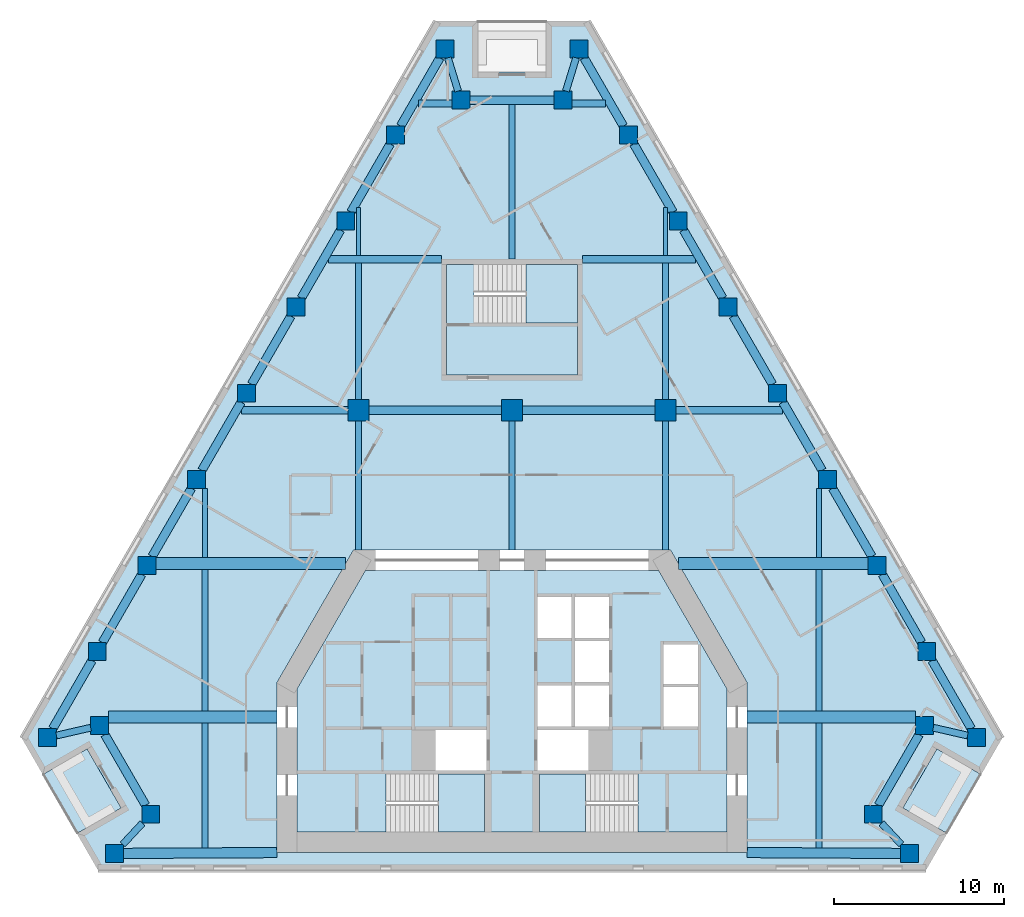
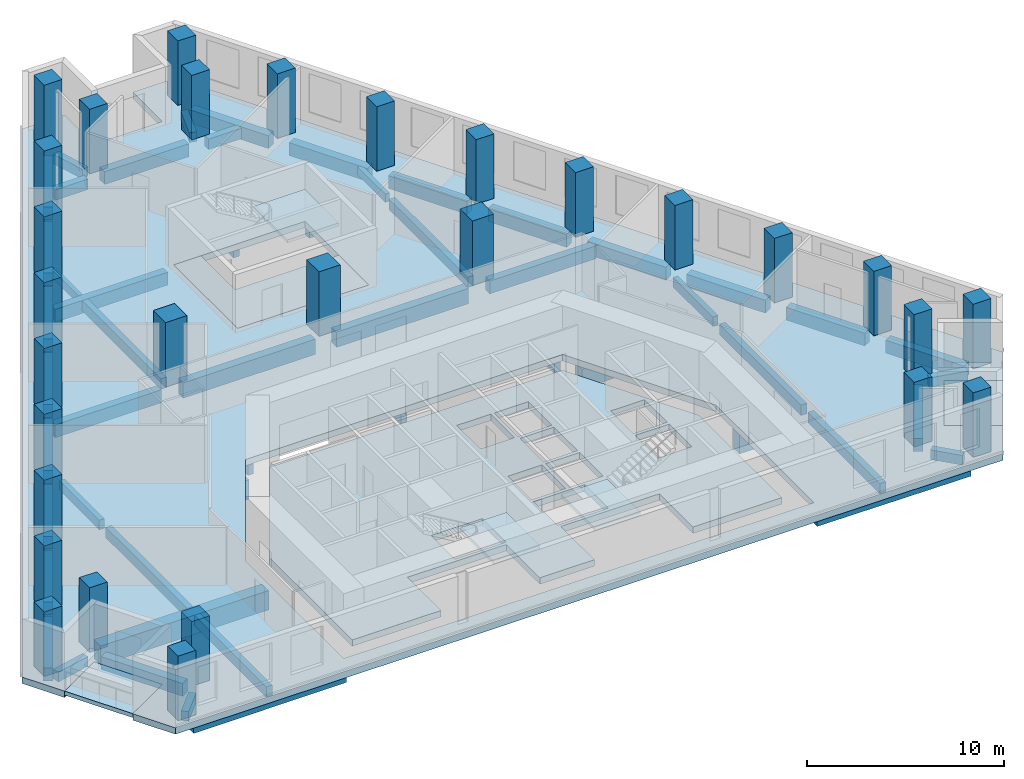
# One storey, part 1 of 8: 53 beams, 29 columns, 8 slabs, 3 elements without a shape of their own.
"""IFC4 building model written with IfcOpenShell, lengths in metres."""

from ifc_helpers import new_model, si_unit, direction, frame, origin, origin_2d, place, context, subcontext, project, spatial, polyline, rectangle, outline, extrude, material, layer, layer_set, material_profile, profile_set, type_object, element, aggregate, save


model = new_model("IFC4")

# Units and contexts
model_context = context("Model", 3, precision=1e-05, world=origin(), true_north=direction((0.0, 1.0)))
body_context = subcontext(model_context, "Body", "Model", "MODEL_VIEW")
ifc_project = project(units=[si_unit("LENGTHUNIT", "METRE"), si_unit("AREAUNIT", "SQUARE_METRE"), si_unit("VOLUMEUNIT", "CUBIC_METRE"), si_unit("PLANEANGLEUNIT", "RADIAN"), si_unit("MASSUNIT", "GRAM", prefix="KILO")], contexts=[model_context])

# Site, building, storey
site_placement = place(None, origin())
site = spatial("IfcSite", under=ifc_project, at=site_placement, CompositionType="ELEMENT")
building_placement = place(site_placement, origin())
building = spatial("IfcBuilding", under=site, at=building_placement, Name="Fogline Exchange Tower", CompositionType="ELEMENT")
storey_placement = place(building_placement, frame((0.0, 0.0, 154.89990234375)))
storey = spatial("IfcBuildingStorey", under=building, at=storey_placement, Name="L34", CompositionType="ELEMENT", Elevation=154.89990234375)

# Columns
ifc_material_1 = material(Name="Concrete C70", Category="concrete")
ifc_material_profile_1 = material_profile(ifc_material_1, rectangle(XDim=1.25, YDim=1.25, at=origin_2d()), Name="RC 1250x1250")
ifc_profile_set_1 = profile_set([ifc_material_profile_1], Name="Concrete C70")
column_type_1 = type_object("IfcColumnType", Name="C03", PredefinedType="COLUMN", material=ifc_profile_set_1)
for number, where, z_axis, x_axis, name in (
    (1, (-9.0, 27.0, 0.0), (0.0, 0.0, 1.0), (1.0, 0.0, 0.0), "IC--9-27"),
    (2, (0.0, 27.0, 0.0), (0.0, 0.0, 1.0), (1.0, 0.0, 0.0), "IC-0-27"),
    (3, (9.0, 27.0, 0.0), (0.0, 0.0, 1.0), (1.0, 0.0, 0.0), "IC-9-27"),
):
    element("IfcColumn", number, at=place(storey_placement, frame(where, z_axis=z_axis, x_axis=x_axis)), inside=storey, type_object=column_type_1, Name=name, PredefinedType="COLUMN", context=body_context, shape_type="SweptSolid", body=[
        extrude(rectangle(XDim=1.25, YDim=1.25, at=origin_2d()), origin(), (0.0, 0.0, 1.0), 4.0),
    ])
ifc_material_profile_2 = material_profile(ifc_material_1, rectangle(XDim=1.050048828125, YDim=1.050048828125, at=origin_2d()), Name="RC 1050x1050")
ifc_profile_set_2 = profile_set([ifc_material_profile_2], Name="Concrete C70")
column_type_2 = type_object("IfcColumnType", Name="C04", PredefinedType="COLUMN", material=ifc_profile_set_2)
for number, where, z_axis, x_axis, name in (
    (4, (-27.2490234375, 7.794189453125, 0.0), (0.0, 0.0, 1.0), (1.0, 0.0, 0.0), "SW-a"),
    (5, (-24.189697265625, 8.4951171875, 0.0), (0.0, 0.0, 1.0), (1.0, 0.0, 0.0), "SW-p4"),
    (6, (-21.189697265625, 3.299072265625, 0.0), (0.0, 0.0, 1.0), (1.0, 0.0, 0.0), "SW-p3"),
    (7, (-23.326416015625, 1.0, 0.0), (0.0, 0.0, 1.0), (1.0, 0.0, 0.0), "SW-b"),
    (8, (23.326416015625, 1.0, 0.0), (0.0, 0.0, 1.0), (1.0, 0.0, 0.0), "SE-a"),
    (9, (21.189697265625, 3.299072265625, 0.0), (0.0, 0.0, 1.0), (1.0, 0.0, 0.0), "SE-p4"),
    (10, (24.189697265625, 8.4951171875, 0.0), (0.0, 0.0, 1.0), (1.0, 0.0, 0.0), "SE-p3"),
    (11, (27.2490234375, 7.794189453125, 0.0), (0.0, 0.0, 1.0), (1.0, 0.0, 0.0), "SE-b"),
    (12, (24.333251953125, 12.844482421875, 0.0), (0.0, 0.0, 1.0), (1.0, 0.0, 0.0), "E1"),
    (13, (21.41748046875, 17.894775390625, 0.0), (0.0, 0.0, 1.0), (1.0, 0.0, 0.0), "E2"),
    (14, (18.501708984375, 22.945068359375, 0.0), (0.0, 0.0, 1.0), (1.0, 0.0, 0.0), "E3"),
    (15, (15.585693359375, 27.995361328125, 0.0), (0.0, 0.0, 1.0), (1.0, 0.0, 0.0), "E4"),
    (16, (12.669921875, 33.045654296875, 0.0), (0.0, 0.0, 1.0), (1.0, 0.0, 0.0), "E5"),
    (17, (9.754150390625, 38.095947265625, 0.0), (0.0, 0.0, 1.0), (1.0, 0.0, 0.0), "E6"),
    (18, (6.83837890625, 43.146240234375, 0.0), (0.0, 0.0, 1.0), (1.0, 0.0, 0.0), "E7"),
    (19, (3.922607421875, 48.19677734375, 0.0), (0.0, 0.0, 1.0), (1.0, 0.0, 0.0), "N-a"),
    (20, (3.0, 45.19677734375, 0.0), (0.0, 0.0, 1.0), (1.0, 0.0, 0.0), "N-p4"),
    (21, (-3.0, 45.19677734375, 0.0), (0.0, 0.0, 1.0), (1.0, 0.0, 0.0), "N-p3"),
    (22, (-3.922607421875, 48.19677734375, 0.0), (0.0, 0.0, 1.0), (1.0, 0.0, 0.0), "N-b"),
    (23, (-6.83837890625, 43.146240234375, 0.0), (0.0, 0.0, 1.0), (1.0, 0.0, 0.0), "W1"),
    (24, (-9.754150390625, 38.095947265625, 0.0), (0.0, 0.0, 1.0), (1.0, 0.0, 0.0), "W2"),
    (25, (-12.669921875, 33.045654296875, 0.0), (0.0, 0.0, 1.0), (1.0, 0.0, 0.0), "W3"),
    (26, (-15.585693359375, 27.995361328125, 0.0), (0.0, 0.0, 1.0), (1.0, 0.0, 0.0), "W4"),
    (27, (-18.501708984375, 22.945068359375, 0.0), (0.0, 0.0, 1.0), (1.0, 0.0, 0.0), "W5"),
    (28, (-21.41748046875, 17.894775390625, 0.0), (0.0, 0.0, 1.0), (1.0, 0.0, 0.0), "W6"),
    (29, (-24.333251953125, 12.844482421875, 0.0), (0.0, 0.0, 1.0), (1.0, 0.0, 0.0), "W7"),
):
    element("IfcColumn", number, at=place(storey_placement, frame(where, z_axis=z_axis, x_axis=x_axis)), inside=storey, type_object=column_type_2, Name=name, PredefinedType="COLUMN", context=body_context, shape_type="SweptSolid", body=[
        extrude(rectangle(XDim=1.050048828125, YDim=1.050048828125, at=origin_2d()), origin(), (0.0, 0.0, 1.0), 4.0),
    ])

# Beams
ifc_material_2 = material(Name="Concrete C40", Category="concrete")
ifc_material_profile_3 = material_profile(ifc_material_2, rectangle(XDim=0.300048828125, YDim=0.60009765625, at=origin_2d()), Name="RC 300x600")
ifc_profile_set_3 = profile_set([ifc_material_profile_3], Name="Concrete C40")
beam_type_1 = type_object("IfcBeamType", Name="B06", PredefinedType="BEAM", material=ifc_profile_set_3)
for number, where, z_axis, x_axis, name in (
    (30, (-18.0, 18.35009765625, -0.699951171875), (0.0, 1.0, 0.0), (-1.0, 0.0, 0.0), "SB003"),
    (31, (18.0, 18.35009765625, -0.699951171875), (0.0, 1.0, 0.0), (-1.0, 0.0, 0.0), "SB014"),
):
    element("IfcBeam", number, at=place(storey_placement, frame(where, z_axis=z_axis, x_axis=x_axis)), inside=storey, type_object=beam_type_1, Name=name, PredefinedType="BEAM", context=body_context, shape_type="SweptSolid", body=[
        extrude(rectangle(XDim=0.300048828125, YDim=0.60009765625, at=origin_2d()), origin(), (0.0, 0.0, 1.0), 4.070068359375),
    ])
ifc_material_profile_4 = material_profile(ifc_material_2, rectangle(XDim=0.25, YDim=0.5, at=origin_2d()), Name="RC 250x500")
ifc_profile_set_4 = profile_set([ifc_material_profile_4], Name="Concrete C40")
beam_type_2 = type_object("IfcBeamType", Name="B08", PredefinedType="BEAM", material=ifc_profile_set_4)
for number, where, z_axis, x_axis, name in (
    (32, (-9.0, 36.08203125, -0.64990234375), (0.0, 1.0, 0.0), (-1.0, 0.0, 0.0), "SB006"),
    (33, (9.0, 36.08203125, -0.64990234375), (0.0, 1.0, 0.0), (-1.0, 0.0, 0.0), "SB011"),
):
    element("IfcBeam", number, at=place(storey_placement, frame(where, z_axis=z_axis, x_axis=x_axis)), inside=storey, type_object=beam_type_2, Name=name, PredefinedType="BEAM", context=body_context, shape_type="SweptSolid", body=[
        extrude(rectangle(XDim=0.25, YDim=0.5, at=origin_2d()), origin(), (0.0, 0.0, 1.0), 2.8203125),
    ])
ifc_material_profile_5 = material_profile(ifc_material_2, rectangle(XDim=0.60009765625, YDim=0.89990234375, at=origin_2d()), Name="RC 600x900")
ifc_profile_set_5 = profile_set([ifc_material_profile_5], Name="Concrete C40")
beam_type_3 = type_object("IfcBeamType", Name="B09", PredefinedType="BEAM", material=ifc_profile_set_5)
for number, where, z_axis, x_axis, name in (
    (34, (-22.801513671875, 1.0, -0.849853515625), (0.999984543136, 0.005559990001, 0.0), (-0.005559990001, 0.999984543136, 0.0), "RB004"),
    (35, (13.800048828125, 1.050048828125, -0.849853515625), (0.999984543136, -0.005559990001, 0.0), (0.005559990001, 0.999984543136, 0.0), "RB005"),
):
    element("IfcBeam", number, at=place(storey_placement, frame(where, z_axis=z_axis, x_axis=x_axis)), inside=storey, type_object=beam_type_3, Name=name, PredefinedType="BEAM", context=body_context, shape_type="SweptSolid", body=[
        extrude(rectangle(XDim=0.60009765625, YDim=0.89990234375, at=origin_2d()), origin(), (0.0, 0.0, 1.0), 9.001708984375),
    ])
ifc_material_profile_6 = material_profile(ifc_material_2, rectangle(XDim=0.5, YDim=0.800048828125, at=origin_2d()), Name="RC 500x800")
ifc_profile_set_6 = profile_set([ifc_material_profile_6], Name="Concrete C40")
beam_type_4 = type_object("IfcBeamType", Name="B10", PredefinedType="BEAM", material=ifc_profile_set_6)
for number, where, z_axis, x_axis, name in (
    (36, (-23.886474609375, 7.97021484375, -0.7998046875), (0.499994660107, -0.866028486751, 0.0), (0.866028486751, 0.499994660107, 0.0), "RB002"),
    (37, (21.49267578125, 3.823974609375, -0.7998046875), (0.499994660107, 0.866028486751, 0.0), (-0.866028486751, 0.499994660107, 0.0), "RB007"),
):
    element("IfcBeam", number, at=place(storey_placement, frame(where, z_axis=z_axis, x_axis=x_axis)), inside=storey, type_object=beam_type_4, Name=name, PredefinedType="BEAM", context=body_context, shape_type="SweptSolid", body=[
        extrude(rectangle(XDim=0.5, YDim=0.800048828125, at=origin_2d()), origin(), (0.0, 0.0, 1.0), 4.78759765625),
    ])
for number, where, z_axis, x_axis, name in (
    (38, (26.94580078125, 8.319091796875, -0.7998046875), (-0.499981705991, 0.866035965578, 0.0), (-0.866035965578, -0.499981705991, 0.0), "RB009"),
    (39, (24.030029296875, 13.369384765625, -0.7998046875), (-0.499981705991, 0.866035965578, 0.0), (-0.866035965578, -0.499981705991, 0.0), "RB010"),
):
    element("IfcBeam", number, at=place(storey_placement, frame(where, z_axis=z_axis, x_axis=x_axis)), inside=storey, type_object=beam_type_4, Name=name, PredefinedType="BEAM", context=body_context, shape_type="SweptSolid", body=[
        extrude(rectangle(XDim=0.5, YDim=0.800048828125, at=origin_2d()), origin(), (0.0, 0.0, 1.0), 4.619384765625),
    ])
for number, where, z_axis, x_axis, name in (
    (40, (21.1142578125, 18.419921875, -0.7998046875), (-0.500004591975, 0.86602275259, 0.0), (-0.86602275259, -0.500004591975, 0.0), "RB011"),
    (41, (18.198486328125, 23.47021484375, -0.7998046875), (-0.500004591975, 0.86602275259, 0.0), (-0.86602275259, -0.500004591975, 0.0), "RB012"),
    (42, (15.28271484375, 28.5205078125, -0.7998046875), (-0.500004591975, 0.86602275259, 0.0), (-0.86602275259, -0.500004591975, 0.0), "RB013"),
    (43, (12.366943359375, 33.57080078125, -0.7998046875), (-0.500004591975, 0.86602275259, 0.0), (-0.86602275259, -0.500004591975, 0.0), "RB014"),
    (44, (9.451171875, 38.62109375, -0.7998046875), (-0.500004591975, 0.86602275259, 0.0), (-0.86602275259, -0.500004591975, 0.0), "RB015"),
    (45, (6.535400390625, 43.67138671875, -0.7998046875), (-0.500004591975, 0.86602275259, 0.0), (-0.86602275259, -0.500004591975, 0.0), "RB016"),
):
    element("IfcBeam", number, at=place(storey_placement, frame(where, z_axis=z_axis, x_axis=x_axis)), inside=storey, type_object=beam_type_4, Name=name, PredefinedType="BEAM", context=body_context, shape_type="SweptSolid", body=[
        extrude(rectangle(XDim=0.5, YDim=0.800048828125, at=origin_2d()), origin(), (0.0, 0.0, 1.0), 4.619140625),
    ])
beam_1_placement = place(storey_placement, frame((2.47509765625, 45.19677734375, -0.7998046875), z_axis=(-1.0, 0.0, 0.0), x_axis=(0.0, -1.0, 0.0)))
element("IfcBeam", 46, at=beam_1_placement, inside=storey, type_object=beam_type_4, Name="RB018", PredefinedType="BEAM", context=body_context, shape_type="SweptSolid", body=[
    extrude(rectangle(XDim=0.5, YDim=0.800048828125, at=origin_2d()), origin(), (0.0, 0.0, 1.0), 4.9501953125),
])
for number, where, z_axis, x_axis, name in (
    (47, (-4.225830078125, 47.671630859375, -0.7998046875), (-0.500004591975, -0.86602275259, 0.0), (0.86602275259, -0.500004591975, 0.0), "RB020"),
    (48, (-7.1416015625, 42.621337890625, -0.7998046875), (-0.500004591975, -0.86602275259, 0.0), (0.86602275259, -0.500004591975, 0.0), "RB021"),
    (49, (-10.057373046875, 37.571044921875, -0.7998046875), (-0.500004591975, -0.86602275259, 0.0), (0.86602275259, -0.500004591975, 0.0), "RB022"),
    (50, (-12.97314453125, 32.520751953125, -0.7998046875), (-0.500004591975, -0.86602275259, 0.0), (0.86602275259, -0.500004591975, 0.0), "RB023"),
    (51, (-15.888916015625, 27.470458984375, -0.7998046875), (-0.500004591975, -0.86602275259, 0.0), (0.86602275259, -0.500004591975, 0.0), "RB024"),
    (52, (-18.8046875, 22.420166015625, -0.7998046875), (-0.500004591975, -0.86602275259, 0.0), (0.86602275259, -0.500004591975, 0.0), "RB025"),
):
    element("IfcBeam", number, at=place(storey_placement, frame(where, z_axis=z_axis, x_axis=x_axis)), inside=storey, type_object=beam_type_4, Name=name, PredefinedType="BEAM", context=body_context, shape_type="SweptSolid", body=[
        extrude(rectangle(XDim=0.5, YDim=0.800048828125, at=origin_2d()), origin(), (0.0, 0.0, 1.0), 4.619140625),
    ])
for number, where, z_axis, x_axis, name in (
    (53, (-21.720458984375, 17.369873046875, -0.7998046875), (-0.499981705991, -0.866035965578, 0.0), (0.866035965578, -0.499981705991, 0.0), "RB026"),
    (54, (-24.63623046875, 12.319580078125, -0.7998046875), (-0.499981705991, -0.866035965578, 0.0), (0.866035965578, -0.499981705991, 0.0), "RB027"),
):
    element("IfcBeam", number, at=place(storey_placement, frame(where, z_axis=z_axis, x_axis=x_axis)), inside=storey, type_object=beam_type_4, Name=name, PredefinedType="BEAM", context=body_context, shape_type="SweptSolid", body=[
        extrude(rectangle(XDim=0.5, YDim=0.800048828125, at=origin_2d()), origin(), (0.0, 0.0, 1.0), 4.619384765625),
    ])
ifc_material_profile_7 = material_profile(ifc_material_2, rectangle(XDim=0.39990234375, YDim=0.60009765625, at=origin_2d()), Name="RC 400x600")
ifc_profile_set_7 = profile_set([ifc_material_profile_7], Name="Concrete C40")
beam_type_5 = type_object("IfcBeamType", Name="B11", PredefinedType="BEAM", material=ifc_profile_set_7)
beam_2_placement = place(storey_placement, frame((-26.72412109375, 7.91455078125, -0.699951171875), z_axis=(0.974739301343, 0.223345683676, 0.0), x_axis=(-0.223345683676, 0.974739301343, 0.0)))
element("IfcBeam", 55, at=beam_2_placement, inside=storey, type_object=beam_type_5, Name="RB001", PredefinedType="BEAM", context=body_context, shape_type="SweptSolid", body=[
    extrude(rectangle(XDim=0.39990234375, YDim=0.60009765625, at=origin_2d()), origin(), (0.0, 0.0, 1.0), 2.0615234375),
])
for number, where, z_axis, x_axis, name in (
    (56, (-21.677490234375, 2.77392578125, -0.699951171875), (-0.680791505026, -0.732477253357, 0.0), (0.732477253357, -0.680791505026, 0.0), "RB003"),
    (57, (22.83837890625, 1.52490234375, -0.699951171875), (-0.680791505026, 0.732477253357, 0.0), (-0.732477253357, -0.680791505026, 0.0), "RB006"),
):
    element("IfcBeam", number, at=place(storey_placement, frame(where, z_axis=z_axis, x_axis=x_axis)), inside=storey, type_object=beam_type_5, Name=name, PredefinedType="BEAM", context=body_context, shape_type="SweptSolid", body=[
        extrude(rectangle(XDim=0.39990234375, YDim=0.60009765625, at=origin_2d()), origin(), (0.0, 0.0, 1.0), 1.705322265625),
    ])
beam_3_placement = place(storey_placement, frame((24.714599609375, 8.375, -0.699951171875), z_axis=(0.974739301343, -0.223345683676, 0.0), x_axis=(0.223345683676, 0.974739301343, 0.0)))
element("IfcBeam", 58, at=beam_3_placement, inside=storey, type_object=beam_type_5, Name="RB008", PredefinedType="BEAM", context=body_context, shape_type="SweptSolid", body=[
    extrude(rectangle(XDim=0.39990234375, YDim=0.60009765625, at=origin_2d()), origin(), (0.0, 0.0, 1.0), 2.0615234375),
])
for number, where, z_axis, x_axis, name in (
    (59, (3.76123046875, 47.671630859375, -0.699951171875), (-0.293917654764, -0.955830744545, 0.0), (0.955830744545, -0.293917654764, 0.0), "RB017"),
    (60, (-3.16162109375, 45.7216796875, -0.699951171875), (-0.293917654764, 0.955830744545, 0.0), (-0.955830744545, -0.293917654764, 0.0), "RB019"),
):
    element("IfcBeam", number, at=place(storey_placement, frame(where, z_axis=z_axis, x_axis=x_axis)), inside=storey, type_object=beam_type_5, Name=name, PredefinedType="BEAM", context=body_context, shape_type="SweptSolid", body=[
        extrude(rectangle(XDim=0.39990234375, YDim=0.60009765625, at=origin_2d()), origin(), (0.0, 0.0, 1.0), 2.0400390625),
    ])
ifc_material_profile_8 = material_profile(ifc_material_2, rectangle(XDim=0.39990234375, YDim=0.64990234375, at=origin_2d()), Name="RC 400x650")
ifc_profile_set_8 = profile_set([ifc_material_profile_8], Name="Concrete C40")
beam_type_6 = type_object("IfcBeamType", Name="B13", PredefinedType="BEAM", material=ifc_profile_set_8)
for number, where, z_axis, x_axis, name in (
    (61, (-5.4794921875, 45.0, -0.724853515625), (1.0, 0.0, 0.0), (0.0, 1.0, 0.0), "GB011"),
    (62, (3.52490234375, 45.0, -0.724853515625), (1.0, 0.0, 0.0), (0.0, 1.0, 0.0), "GB012"),
):
    element("IfcBeam", number, at=place(storey_placement, frame(where, z_axis=z_axis, x_axis=x_axis)), inside=storey, type_object=beam_type_6, Name=name, PredefinedType="BEAM", context=body_context, shape_type="SweptSolid", body=[
        extrude(rectangle(XDim=0.39990234375, YDim=0.64990234375, at=origin_2d()), origin(), (0.0, 0.0, 1.0), 1.95458984375),
    ])
ifc_material_profile_9 = material_profile(ifc_material_2, rectangle(XDim=0.5, YDim=0.949951171875, at=origin_2d()), Name="RC 500x950")
ifc_profile_set_9 = profile_set([ifc_material_profile_9], Name="Concrete C40")
beam_type_7 = type_object("IfcBeamType", Name="B14", PredefinedType="BEAM", material=ifc_profile_set_9)
for number, where, z_axis, x_axis, name in (
    (63, (-8.375, 27.0, -0.875), (1.0, 0.0, 0.0), (0.0, 1.0, 0.0), "GB006"),
    (64, (0.625, 27.0, -0.875), (1.0, 0.0, 0.0), (0.0, 1.0, 0.0), "GB007"),
):
    element("IfcBeam", number, at=place(storey_placement, frame(where, z_axis=z_axis, x_axis=x_axis)), inside=storey, type_object=beam_type_7, Name=name, PredefinedType="BEAM", context=body_context, shape_type="SweptSolid", body=[
        extrude(rectangle(XDim=0.5, YDim=0.949951171875, at=origin_2d()), origin(), (0.0, 0.0, 1.0), 7.75),
    ])
ifc_material_profile_10 = material_profile(ifc_material_2, rectangle(XDim=0.35009765625, YDim=0.64990234375, at=origin_2d()), Name="RC 350x650")
ifc_profile_set_10 = profile_set([ifc_material_profile_10], Name="Concrete C40")
beam_type_8 = type_object("IfcBeamType", Name="B16", PredefinedType="BEAM", material=ifc_profile_set_10)
beam_4_placement = place(storey_placement, frame((-18.0, 1.327880859375, -0.724853515625), z_axis=(0.0, 1.0, 0.0), x_axis=(-1.0, 0.0, 0.0)))
element("IfcBeam", 65, at=beam_4_placement, inside=storey, type_object=beam_type_8, Name="SB001", PredefinedType="BEAM", context=body_context, shape_type="SweptSolid", body=[
    extrude(rectangle(XDim=0.35009765625, YDim=0.64990234375, at=origin_2d()), origin(), (0.0, 0.0, 1.0), 7.322021484375),
])
beam_5_placement = place(storey_placement, frame((-18.0, 9.35009765625, -0.724853515625), z_axis=(0.0, 1.0, 0.0), x_axis=(-1.0, 0.0, 0.0)))
element("IfcBeam", 66, at=beam_5_placement, inside=storey, type_object=beam_type_8, Name="SB002", PredefinedType="BEAM", context=body_context, shape_type="SweptSolid", body=[
    extrude(rectangle(XDim=0.35009765625, YDim=0.64990234375, at=origin_2d()), origin(), (0.0, 0.0, 1.0), 8.2998046875),
])
beam_6_placement = place(storey_placement, frame((-9.0, 18.800048828125, -0.724853515625), z_axis=(0.0, 1.0, 0.0), x_axis=(-1.0, 0.0, 0.0)))
element("IfcBeam", 67, at=beam_6_placement, inside=storey, type_object=beam_type_8, Name="SB004", PredefinedType="BEAM", context=body_context, shape_type="SweptSolid", body=[
    extrude(rectangle(XDim=0.35009765625, YDim=0.64990234375, at=origin_2d()), origin(), (0.0, 0.0, 1.0), 7.574951171875),
])
beam_7_placement = place(storey_placement, frame((-9.0, 27.625, -0.724853515625), z_axis=(0.0, 1.0, 0.0), x_axis=(-1.0, 0.0, 0.0)))
element("IfcBeam", 68, at=beam_7_placement, inside=storey, type_object=beam_type_8, Name="SB005", PredefinedType="BEAM", context=body_context, shape_type="SweptSolid", body=[
    extrude(rectangle(XDim=0.35009765625, YDim=0.64990234375, at=origin_2d()), origin(), (0.0, 0.0, 1.0), 8.007080078125),
])
beam_8_placement = place(storey_placement, frame((0.0, 18.800048828125, -0.724853515625), z_axis=(0.0, 1.0, 0.0), x_axis=(-1.0, 0.0, 0.0)))
element("IfcBeam", 69, at=beam_8_placement, inside=storey, type_object=beam_type_8, Name="SB007", PredefinedType="BEAM", context=body_context, shape_type="SweptSolid", body=[
    extrude(rectangle(XDim=0.35009765625, YDim=0.64990234375, at=origin_2d()), origin(), (0.0, 0.0, 1.0), 7.574951171875),
])
beam_9_placement = place(storey_placement, frame((0.0, 35.85693359375, -0.724853515625), z_axis=(0.0, 1.0, 0.0), x_axis=(-1.0, 0.0, 0.0)))
element("IfcBeam", 70, at=beam_9_placement, inside=storey, type_object=beam_type_8, Name="SB008", PredefinedType="BEAM", context=body_context, shape_type="SweptSolid", body=[
    extrude(rectangle(XDim=0.35009765625, YDim=0.64990234375, at=origin_2d()), origin(), (0.0, 0.0, 1.0), 9.08984375),
])
beam_10_placement = place(storey_placement, frame((9.0, 18.800048828125, -0.724853515625), z_axis=(0.0, 1.0, 0.0), x_axis=(-1.0, 0.0, 0.0)))
element("IfcBeam", 71, at=beam_10_placement, inside=storey, type_object=beam_type_8, Name="SB009", PredefinedType="BEAM", context=body_context, shape_type="SweptSolid", body=[
    extrude(rectangle(XDim=0.35009765625, YDim=0.64990234375, at=origin_2d()), origin(), (0.0, 0.0, 1.0), 7.574951171875),
])
beam_11_placement = place(storey_placement, frame((9.0, 27.625, -0.724853515625), z_axis=(0.0, 1.0, 0.0), x_axis=(-1.0, 0.0, 0.0)))
element("IfcBeam", 72, at=beam_11_placement, inside=storey, type_object=beam_type_8, Name="SB010", PredefinedType="BEAM", context=body_context, shape_type="SweptSolid", body=[
    extrude(rectangle(XDim=0.35009765625, YDim=0.64990234375, at=origin_2d()), origin(), (0.0, 0.0, 1.0), 8.007080078125),
])
beam_12_placement = place(storey_placement, frame((18.0, 1.327880859375, -0.724853515625), z_axis=(0.0, 1.0, 0.0), x_axis=(-1.0, 0.0, 0.0)))
element("IfcBeam", 73, at=beam_12_placement, inside=storey, type_object=beam_type_8, Name="SB012", PredefinedType="BEAM", context=body_context, shape_type="SweptSolid", body=[
    extrude(rectangle(XDim=0.35009765625, YDim=0.64990234375, at=origin_2d()), origin(), (0.0, 0.0, 1.0), 7.322021484375),
])
beam_13_placement = place(storey_placement, frame((18.0, 9.35009765625, -0.724853515625), z_axis=(0.0, 1.0, 0.0), x_axis=(-1.0, 0.0, 0.0)))
element("IfcBeam", 74, at=beam_13_placement, inside=storey, type_object=beam_type_8, Name="SB013", PredefinedType="BEAM", context=body_context, shape_type="SweptSolid", body=[
    extrude(rectangle(XDim=0.35009765625, YDim=0.64990234375, at=origin_2d()), origin(), (0.0, 0.0, 1.0), 8.2998046875),
])
ifc_material_profile_11 = material_profile(ifc_material_2, rectangle(XDim=0.699951171875, YDim=1.199951171875, at=origin_2d()), Name="RC 700x1200")
ifc_profile_set_11 = profile_set([ifc_material_profile_11], Name="Concrete C40")
beam_type_9 = type_object("IfcBeamType", Name="B17", PredefinedType="BEAM", material=ifc_profile_set_11)
for number, where, z_axis, x_axis, name in (
    (75, (-23.66455078125, 9.0, -1.0), (1.0, 0.0, 0.0), (0.0, 1.0, 0.0), "GB001"),
    (76, (13.800048828125, 9.0, -1.0), (1.0, 0.0, 0.0), (0.0, 1.0, 0.0), "GB002"),
):
    element("IfcBeam", number, at=place(storey_placement, frame(where, z_axis=z_axis, x_axis=x_axis)), inside=storey, type_object=beam_type_9, Name=name, PredefinedType="BEAM", context=body_context, shape_type="SweptSolid", body=[
        extrude(rectangle(XDim=0.699951171875, YDim=1.199951171875, at=origin_2d()), origin(), (0.0, 0.0, 1.0), 9.864501953125),
    ])
for number, where, z_axis, x_axis, name in (
    (77, (-20.892333984375, 18.0, -1.0), (1.0, 0.0, 0.0), (0.0, 1.0, 0.0), "GB003"),
    (78, (9.758056640625, 18.0, -1.0), (1.0, 0.0, 0.0), (0.0, 1.0, 0.0), "GB004"),
):
    element("IfcBeam", number, at=place(storey_placement, frame(where, z_axis=z_axis, x_axis=x_axis)), inside=storey, type_object=beam_type_9, Name=name, PredefinedType="BEAM", context=body_context, shape_type="SweptSolid", body=[
        extrude(rectangle(XDim=0.699951171875, YDim=1.199951171875, at=origin_2d()), origin(), (0.0, 0.0, 1.0), 11.13427734375),
    ])
ifc_material_profile_12 = material_profile(ifc_material_2, rectangle(XDim=0.449951171875, YDim=0.800048828125, at=origin_2d()), Name="RC 450x800")
ifc_profile_set_12 = profile_set([ifc_material_profile_12], Name="Concrete C40")
beam_type_10 = type_object("IfcBeamType", Name="B18", PredefinedType="BEAM", material=ifc_profile_set_12)
for number, where, z_axis, x_axis, name in (
    (79, (-15.871826171875, 27.0, -0.7998046875), (1.0, 0.0, 0.0), (0.0, 1.0, 0.0), "GB005"),
    (80, (9.625, 27.0, -0.7998046875), (1.0, 0.0, 0.0), (0.0, 1.0, 0.0), "GB008"),
):
    element("IfcBeam", number, at=place(storey_placement, frame(where, z_axis=z_axis, x_axis=x_axis)), inside=storey, type_object=beam_type_10, Name=name, PredefinedType="BEAM", context=body_context, shape_type="SweptSolid", body=[
        extrude(rectangle(XDim=0.449951171875, YDim=0.800048828125, at=origin_2d()), origin(), (0.0, 0.0, 1.0), 6.246826171875),
    ])
for number, where, z_axis, x_axis, name in (
    (81, (-10.75830078125, 35.85693359375, -0.7998046875), (1.0, 0.0, 0.0), (0.0, 1.0, 0.0), "GB009"),
    (82, (4.14990234375, 35.85693359375, -0.7998046875), (1.0, 0.0, 0.0), (0.0, 1.0, 0.0), "GB010"),
):
    element("IfcBeam", number, at=place(storey_placement, frame(where, z_axis=z_axis, x_axis=x_axis)), inside=storey, type_object=beam_type_10, Name=name, PredefinedType="BEAM", context=body_context, shape_type="SweptSolid", body=[
        extrude(rectangle(XDim=0.449951171875, YDim=0.800048828125, at=origin_2d()), origin(), (0.0, 0.0, 1.0), 6.6083984375),
    ])

# Slabs
ifc_layer_1 = layer(ifc_material_2, 0.25)
ifc_layer_set_1 = layer_set([ifc_layer_1], Name="DK1")
slab_type_1 = type_object("IfcSlabType", Name="DK1", PredefinedType="FLOOR", material=ifc_layer_set_1)
slab_1_placement = place(storey_placement, frame((0.0, 0.0, -0.25)))
element("IfcSlab", 83, at=slab_1_placement, inside=storey, type_object=slab_type_1, Name="Balcony L34 SW", PredefinedType="FLOOR", context=body_context, shape_type="SweptSolid", body=[
    extrude(outline(polyline([(-27.526123046875, 5.629150390625), (-25.526123046875, 2.1650390625), (-22.927978515625, 3.6650390625), (-24.927978515625, 7.129150390625), (-27.526123046875, 5.629150390625)])), origin(), (0.0, 0.0, 1.0), 0.25),
])
slab_2_placement = place(storey_placement, frame((0.0, 0.0, -0.25)))
element("IfcSlab", 84, at=slab_2_placement, inside=storey, type_object=slab_type_1, Name="Balcony L34 SE", PredefinedType="FLOOR", context=body_context, shape_type="SweptSolid", body=[
    extrude(outline(polyline([(25.526123046875, 2.1650390625), (27.526123046875, 5.629150390625), (24.927978515625, 7.129150390625), (22.927978515625, 3.6650390625), (25.526123046875, 2.1650390625)])), origin(), (0.0, 0.0, 1.0), 0.25),
])
ifc_layer_2 = layer(ifc_material_2, 0.39990234375)
ifc_layer_set_2 = layer_set([ifc_layer_2], Name="S03")
slab_type_2 = type_object("IfcSlabType", Name="S03", PredefinedType="FLOOR", material=ifc_layer_set_2)
slab_3_placement = place(storey_placement, frame((0.0, 0.0, -0.39990234375)))
element("IfcSlab", 85, at=slab_3_placement, inside=storey, type_object=slab_type_2, Name="SLAB L34", PredefinedType="FLOOR", context=body_context, shape_type="SweptSolid", body=[
    extrude(outline(polyline([(-2.0, 49.841796875), (-4.5, 49.841796875), (-28.776123046875, 7.794189453125), (-27.526123046875, 5.629150390625), (-24.927978515625, 7.129150390625), (-22.927978515625, 3.6650390625), (-25.526123046875, 2.1650390625), (-24.276123046875, 0.0), (24.276123046875, 0.0), (25.526123046875, 2.1650390625), (22.927978515625, 3.6650390625), (24.927978515625, 7.129150390625), (27.526123046875, 5.629150390625), (28.776123046875, 7.794189453125), (4.5, 49.841796875), (2.0, 49.841796875), (2.0, 46.841796875), (-2.0, 46.841796875), (-2.0, 49.841796875)]), holes=[polyline([(13.800048828125, 10.9990234375), (13.800048828125, 1.050048828125), (-13.800048828125, 1.050048828125), (-13.800048828125, 10.9990234375), (-9.296142578125, 18.800048828125), (9.296142578125, 18.800048828125), (13.800048828125, 10.9990234375)]), polyline([(3.85009765625, 35.556884765625), (3.85009765625, 29.056884765625), (-3.85009765625, 29.056884765625), (-3.85009765625, 35.556884765625), (3.85009765625, 35.556884765625)])]), origin(), (0.0, 0.0, 1.0), 0.39990234375),
])
slab_4_placement = place(storey_placement, frame((0.0, 0.0, -0.39990234375)))
element("IfcSlab", 86, at=slab_4_placement, inside=storey, type_object=slab_type_2, Name="Core floor slab", PredefinedType="FLOOR", context=body_context, shape_type="SweptSolid", body=[
    extrude(outline(polyline([(-12.60009765625, 2.25), (-12.60009765625, 10.677490234375), (-8.603271484375, 17.60009765625), (8.603271484375, 17.60009765625), (12.60009765625, 10.677490234375), (12.60009765625, 2.25), (7.389892578125, 2.25), (7.389892578125, 5.64990234375), (1.60009765625, 5.64990234375), (1.60009765625, 2.25), (-1.60009765625, 2.25), (-1.60009765625, 5.64990234375), (-7.389892578125, 5.64990234375), (-7.389892578125, 2.25), (-12.60009765625, 2.25)]), holes=[polyline([(-4.5, 8.25), (-4.5, 5.85009765625), (-1.5, 5.85009765625), (-1.5, 8.25), (-4.5, 8.25)]), polyline([(4.5, 8.25), (1.5, 8.25), (1.5, 5.85009765625), (4.5, 5.85009765625), (4.5, 8.25)]), polyline([(3.5, 10.85009765625), (1.5, 10.85009765625), (1.5, 8.449951171875), (3.5, 8.449951171875), (3.5, 10.85009765625)]), polyline([(1.5, 16.050048828125), (1.5, 13.64990234375), (3.5, 13.64990234375), (3.5, 16.050048828125), (1.5, 16.050048828125)]), polyline([(10.89990234375, 10.75), (8.89990234375, 10.75), (8.89990234375, 8.449951171875), (10.89990234375, 8.449951171875), (10.89990234375, 10.75)]), polyline([(5.699951171875, 10.85009765625), (3.699951171875, 10.85009765625), (3.699951171875, 8.449951171875), (5.699951171875, 8.449951171875), (5.699951171875, 10.85009765625)]), polyline([(8.89990234375, 13.25), (8.89990234375, 10.949951171875), (10.89990234375, 10.949951171875), (10.89990234375, 13.25), (8.89990234375, 13.25)]), polyline([(5.699951171875, 13.449951171875), (3.699951171875, 13.449951171875), (3.699951171875, 11.050048828125), (5.699951171875, 11.050048828125), (5.699951171875, 13.449951171875)]), polyline([(5.699951171875, 16.050048828125), (3.699951171875, 16.050048828125), (3.699951171875, 13.64990234375), (5.699951171875, 13.64990234375), (5.699951171875, 16.050048828125)])]), origin(), (0.0, 0.0, 1.0), 0.39990234375),
])
slab_5_placement = place(storey_placement, frame((0.0, 0.0, -0.39990234375)))
element("IfcSlab", 87, at=slab_5_placement, inside=storey, type_object=slab_type_2, Name="Stair enclosure floor slab", PredefinedType="FLOOR", context=body_context, shape_type="SweptSolid", body=[
    extrude(outline(polyline([(3.85009765625, 29.056884765625), (-3.85009765625, 29.056884765625), (-3.85009765625, 35.556884765625), (-2.239990234375, 35.556884765625), (-2.239990234375, 32.10693359375), (3.85009765625, 32.10693359375), (3.85009765625, 29.056884765625)])), origin(), (0.0, 0.0, 1.0), 0.39990234375),
])

# Stair, slab
stair_type = type_object("IfcStairType", Name="STR24-1667", PredefinedType="HALF_TURN_STAIR", material=ifc_material_2)
stair_1_placement = place(storey_placement, origin())
stair_1 = element("IfcStair", 88, at=stair_1_placement, inside=storey, type_object=stair_type, Name="Stair ST1", PredefinedType="HALF_TURN_STAIR")
ifc_layer_3 = layer(ifc_material_2, 0.199951171875)
ifc_layer_set_3 = layer_set([ifc_layer_3], Name="SL200")
slab_type_3 = type_object("IfcSlabType", Name="SL200", PredefinedType="LANDING", material=ifc_layer_set_3)
slab_6_placement = place(storey_placement, frame((0.0, 0.0, 1.800048828125)))
slab_6 = element("IfcSlab", 89, at=slab_6_placement, type_object=slab_type_3, Name="ST1 landing 1", PredefinedType="LANDING", context=body_context, shape_type="SweptSolid", body=[
    extrude(outline(polyline([(-4.320068359375, 2.25), (-1.60009765625, 2.25), (-1.60009765625, 5.64990234375), (-4.320068359375, 5.64990234375), (-4.320068359375, 2.25)])), origin(), (0.0, 0.0, 1.0), 0.199951171875),
])
aggregate(stair_1, [slab_6])

stair_2_placement = place(storey_placement, origin())
stair_2 = element("IfcStair", 90, at=stair_2_placement, inside=storey, type_object=stair_type, Name="Stair ST2", PredefinedType="HALF_TURN_STAIR")
slab_7_placement = place(storey_placement, frame((0.0, 0.0, 1.800048828125)))
slab_7 = element("IfcSlab", 91, at=slab_7_placement, type_object=slab_type_3, Name="ST2 landing 1", PredefinedType="LANDING", context=body_context, shape_type="SweptSolid", body=[
    extrude(outline(polyline([(1.60009765625, 2.25), (4.320068359375, 2.25), (4.320068359375, 5.64990234375), (1.60009765625, 5.64990234375), (1.60009765625, 2.25)])), origin(), (0.0, 0.0, 1.0), 0.199951171875),
])
aggregate(stair_2, [slab_7])

stair_3_placement = place(storey_placement, origin())
stair_3 = element("IfcStair", 92, at=stair_3_placement, inside=storey, type_object=stair_type, Name="Stair ST3", PredefinedType="HALF_TURN_STAIR")
slab_8_placement = place(storey_placement, frame((0.0, 0.0, 1.800048828125)))
slab_8 = element("IfcSlab", 93, at=slab_8_placement, type_object=slab_type_3, Name="ST3 landing 1", PredefinedType="LANDING", context=body_context, shape_type="SweptSolid", body=[
    extrude(outline(polyline([(0.830078125, 32.10693359375), (3.85009765625, 32.10693359375), (3.85009765625, 35.556884765625), (0.830078125, 35.556884765625), (0.830078125, 32.10693359375)])), origin(), (0.0, 0.0, 1.0), 0.199951171875),
])
aggregate(stair_3, [slab_8])

save(model, "model.ifc")
